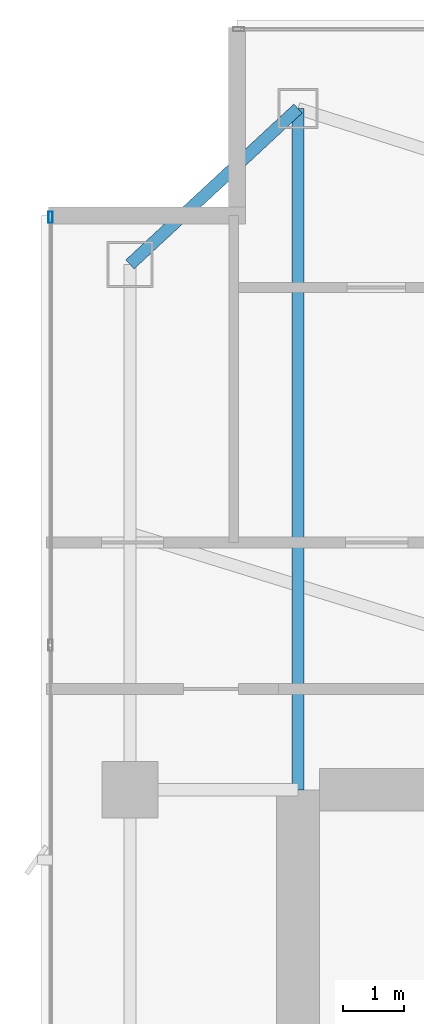
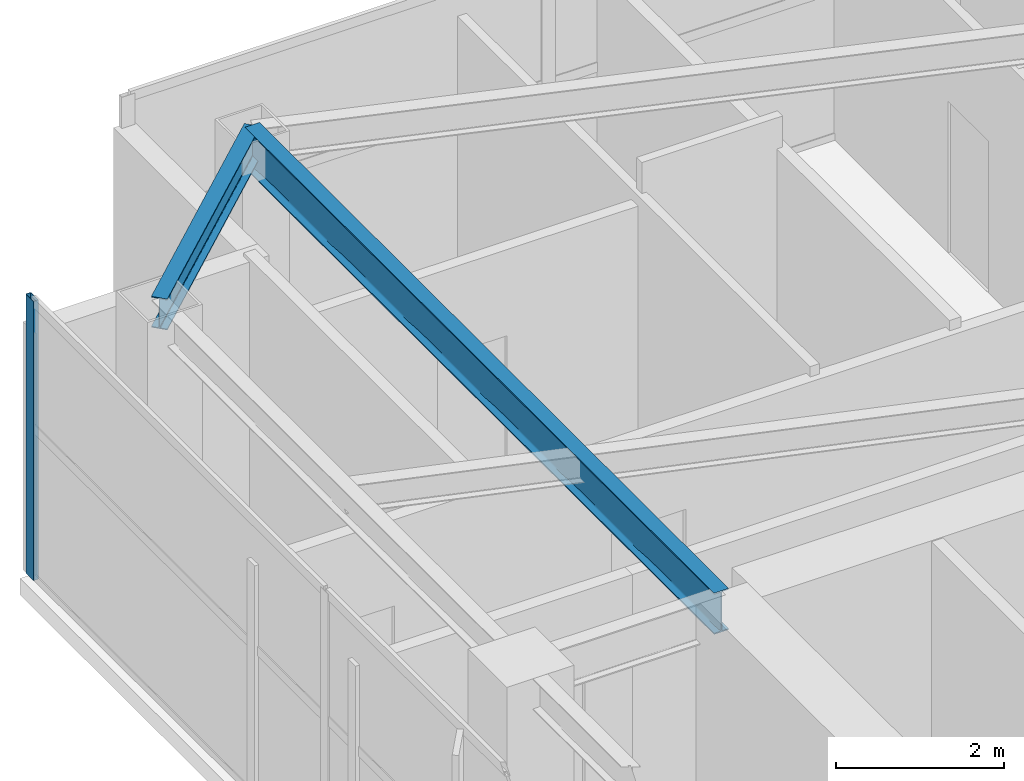
# One storey, part 17 of 29: 2 beams, 1 member, 1 element without a shape of its own.
"""IFC4 building model written with IfcOpenShell, lengths in metres."""

from ifc_helpers import new_model, si_unit, direction, frame, origin, origin_2d, place, context, subcontext, project, spatial, hollow_rectangle, i_section, extrude, material, layer, layer_set, material_profile, profile_set, type_object, element, aggregate, save


model = new_model("IFC4")

# Units and contexts
model_context = context("Model", 3, precision=1e-05, world=origin(), true_north=direction((0.0, 1.0)))
body_context = subcontext(model_context, "Body", "Model", "MODEL_VIEW")
ifc_project = project(units=[si_unit("LENGTHUNIT", "METRE"), si_unit("AREAUNIT", "SQUARE_METRE"), si_unit("VOLUMEUNIT", "CUBIC_METRE"), si_unit("PLANEANGLEUNIT", "RADIAN"), si_unit("MASSUNIT", "GRAM", prefix="KILO")], contexts=[model_context])

# Site, building, storey
site_placement = place(None, origin())
site = spatial("IfcSite", under=ifc_project, at=site_placement, CompositionType="ELEMENT")
building_placement = place(site_placement, origin())
building = spatial("IfcBuilding", under=site, at=building_placement, Name="Calvorn Quay Hotel", CompositionType="ELEMENT")
storey_placement = place(building_placement, frame((0.0, 0.0, 214.800048828125)))
storey = spatial("IfcBuildingStorey", under=building, at=storey_placement, Name="L53", CompositionType="ELEMENT", Elevation=214.800048828125)

# Beams
ifc_material_1 = material(Name="Steel Q355B", Category="steel")
ifc_material_profile_1 = material_profile(ifc_material_1, i_section(OverallWidth=0.199951171875, OverallDepth=0.60009765625, WebThickness=0.010986328125, FlangeThickness=0.01708984375, FilletRadius=0.01806640625, at=origin_2d()), Name="HN600x200x11x17")
ifc_profile_set_1 = profile_set([ifc_material_profile_1], Name="Steel Q355B")
beam_type_1 = type_object("IfcBeamType", Name="BM-GIRD-TYP", PredefinedType="BEAM", material=ifc_profile_set_1)
beam_1_placement = place(storey_placement, frame((4.199951171875, 49.550048828125, 3.75), z_axis=(0.0, -1.0, 0.0), x_axis=(1.0, 0.0, 0.0)))
element("IfcBeam", 1, at=beam_1_placement, inside=storey, type_object=beam_type_1, Name="Beam BG-L53-W5", PredefinedType="BEAM", context=body_context, shape_type="SweptSolid", body=[
    extrude(i_section(OverallWidth=0.199951171875, OverallDepth=0.60009765625, WebThickness=0.010986328125, FlangeThickness=0.01708984375, FilletRadius=0.01806640625, at=origin_2d()), origin(), (0.0, 0.0, 1.0), 11.150146484375),
])
ifc_material_2 = material(Name="Steel Q355B", Category="steel")
ifc_material_profile_2 = material_profile(ifc_material_2, i_section(OverallWidth=0.199951171875, OverallDepth=0.449951171875, WebThickness=0.009033203125, FlangeThickness=0.013916015625, FilletRadius=0.01611328125, at=origin_2d()), Name="HN450x200x9x14")
ifc_profile_set_2 = profile_set([ifc_material_profile_2], Name="Steel Q355B")
beam_type_2 = type_object("IfcBeamType", Name="BM-SPANDREL-Z3", PredefinedType="SPANDREL", material=ifc_profile_set_2)
beam_2_placement = place(storey_placement, frame((1.449951171875, 47.0, 3.824951171875), z_axis=(0.733261665538, 0.679946563969, 0.0), x_axis=(-0.679946563969, 0.733261665538, 0.0)))
element("IfcBeam", 2, at=beam_2_placement, inside=storey, type_object=beam_type_2, Name="Beam BSP-L53-W5", PredefinedType="SPANDREL", context=body_context, shape_type="SweptSolid", body=[
    extrude(i_section(OverallWidth=0.199951171875, OverallDepth=0.449951171875, WebThickness=0.009033203125, FlangeThickness=0.013916015625, FilletRadius=0.01611328125, at=origin_2d()), origin(), (0.0, 0.0, 1.0), 3.75048828125),
])

# Curtain wall, member
ifc_material_3 = material(Name="Champagne Bronze Anodised Aluminium and Low-E Glass", Category="aluminium")
ifc_layer = layer(ifc_material_3, 0.219970703125)
ifc_layer_set = layer_set([ifc_layer], Name="CW-SYS-Z3")
curtain_wall_type = type_object("IfcCurtainWallType", Name="CW-SYS-Z3", PredefinedType="NOTDEFINED", material=ifc_layer_set)
curtain_wall_placement = place(storey_placement, origin())
curtain_wall = element("IfcCurtainWall", 3, at=curtain_wall_placement, inside=storey, type_object=curtain_wall_type, Name="Tower West Curtain Wall (L53)", PredefinedType="NOTDEFINED")
ifc_material_4 = material(Name="Champagne Bronze Anodised Aluminium 6063-T6", Category="aluminium")
ifc_material_profile_3 = material_profile(ifc_material_4, hollow_rectangle(XDim=0.068115234375, YDim=0.18505859375, WallThickness=0.00390625, at=origin_2d()), Name="ALU-M185x68x4")
ifc_profile_set_3 = profile_set([ifc_material_profile_3], Name="Champagne Bronze Anodised Aluminium 6063-T6")
member_type = type_object("IfcMemberType", Name="CW-SYS-Z3-MUL", PredefinedType="MULLION", material=ifc_profile_set_3)
member_placement = place(storey_placement, frame((0.14990234375, 47.77001953125, 0.0), z_axis=(0.0, 0.0, 1.0), x_axis=(-1.0, 0.0, 0.0)))
member = element("IfcMember", 4, at=member_placement, type_object=member_type, Name="CW-L53-W mullion 7", PredefinedType="MULLION", context=body_context, shape_type="SweptSolid", body=[
    extrude(hollow_rectangle(XDim=0.068115234375, YDim=0.18505859375, WallThickness=0.00390625, at=origin_2d()), origin(), (0.0, 0.0, 1.0), 4.050048828125),
])
aggregate(curtain_wall, [member])

save(model, "model.ifc")
